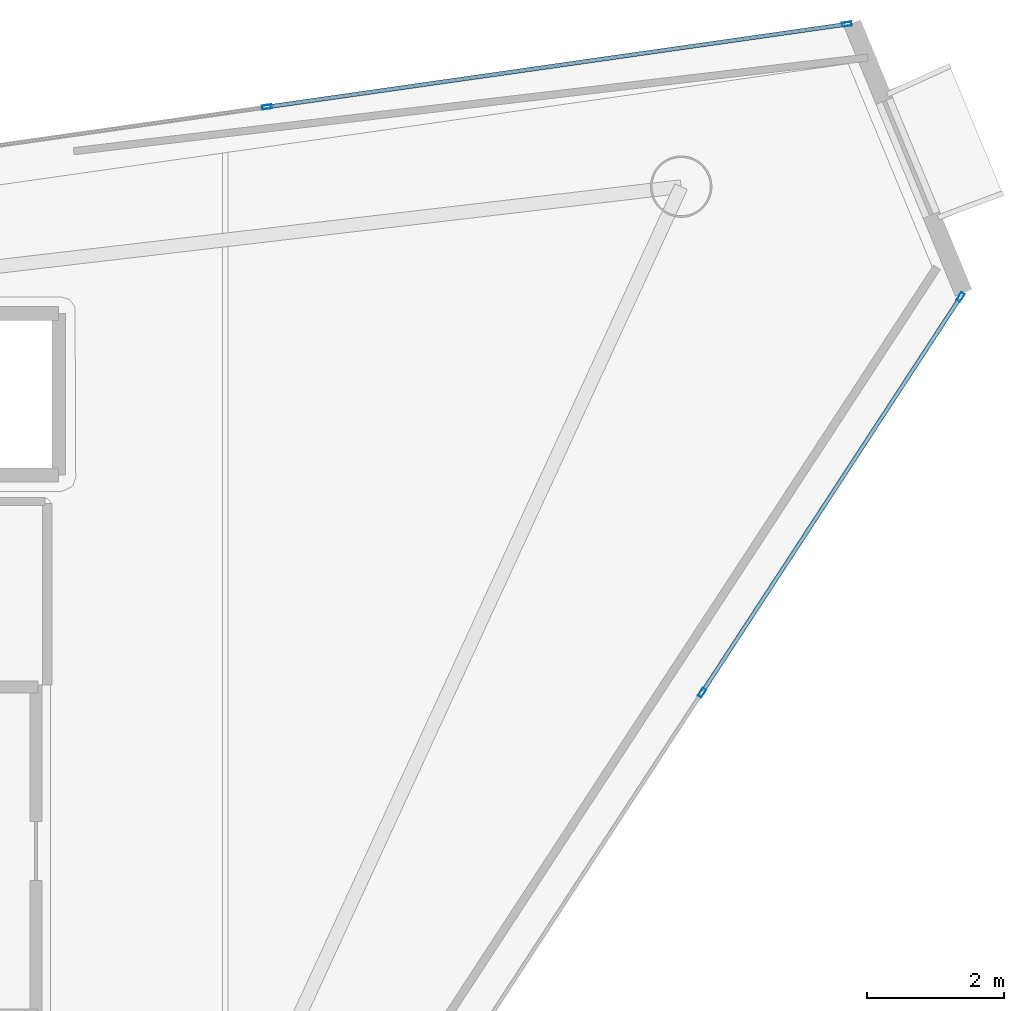
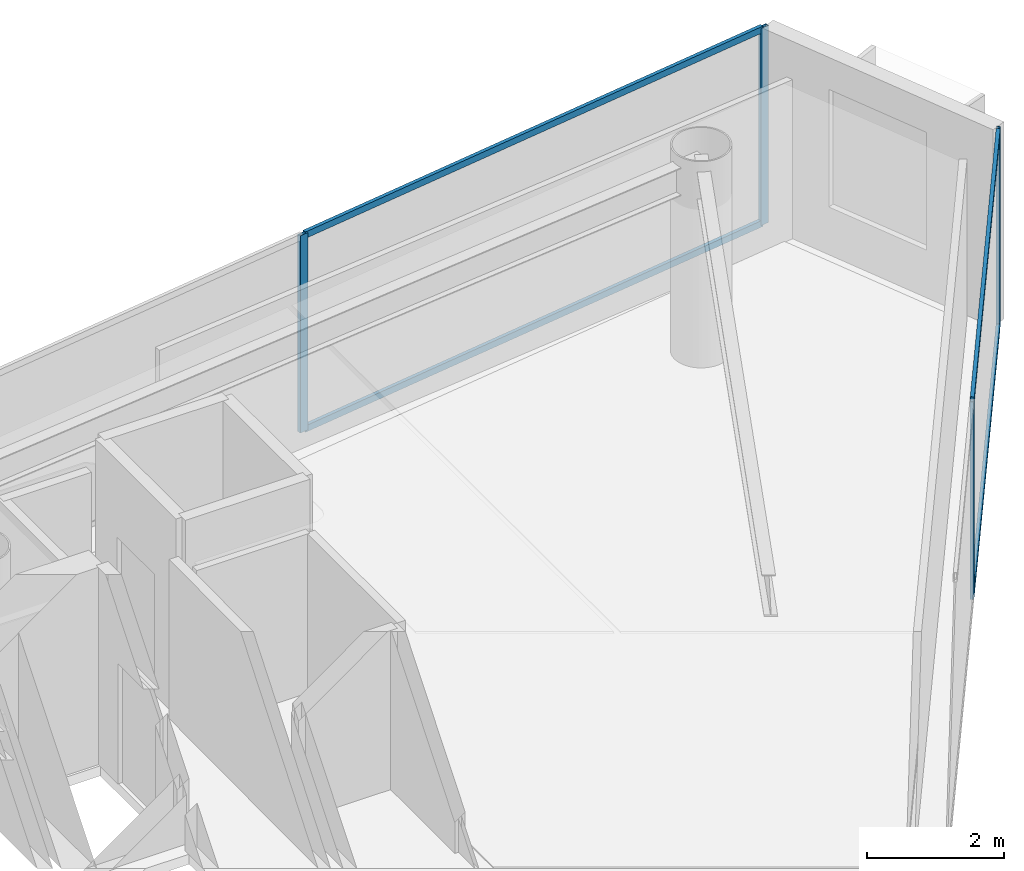
# One storey, part 18 of 25: 8 members, 2 elements without a shape of their own.
"""IFC4 building model written with IfcOpenShell, lengths in metres."""

import ifcopenshell
import ifcopenshell.guid

model = None  # the IFC model being written
_history = None  # IfcOwnerHistory: only IFC2X3 demands one
_inside = {}  # id of a spatial element -> (the spatial element, [elements in it])
_under = {}  # id of a project, library or spatial element -> (it, [spatial elements below it])
_declared = {}  # id of a project -> (the project, [libraries it declares])
_typed = {}  # id of a type object -> (the type object, [elements of that type])
_made_of = {}  # id of a material, layer set ... -> (it, [elements and type objects made of it])


def new_model(schema):
    """Start an empty IFC model of exactly this schema.

    Asked for "IFC4X3", IfcOpenShell would pick the latest addendum, in which some entities
    have other attributes; the version numbers below select the first issue.
    IFC2X3 requires an IfcOwnerHistory on every rooted entity: one is made here for all.
    """
    global model, _history
    if schema == "IFC4X3":
        model = ifcopenshell.file(schema_version=(4, 3, 0, 0))
    else:
        model = ifcopenshell.file(schema=schema)
    _inside.clear()
    _under.clear()
    _declared.clear()
    _typed.clear()
    _made_of.clear()
    _history = None
    if model.schema == "IFC2X3":
        org = make("IfcOrganization", Name="unknown")
        user = make(
            "IfcPersonAndOrganization",
            ThePerson=make("IfcPerson", FamilyName="unknown"),
            TheOrganization=org,
        )
        app = make(
            "IfcApplication",
            ApplicationDeveloper=org,
            Version="unknown",
            ApplicationFullName="unknown",
            ApplicationIdentifier="unknown",
        )
        _history = make(
            "IfcOwnerHistory",
            OwningUser=user,
            OwningApplication=app,
            ChangeAction="ADDED",
            CreationDate=0,
        )
    return model


def make(cls, **values):
    """One entity of the class cls with the attributes given. An attribute that is None is left unset."""
    return model.create_entity(
        cls, **{name: value for name, value in values.items() if value is not None}
    )


def rooted(cls, **values):
    """An entity with a GlobalId (a new one), such as an element, a storey or a relation."""
    return make(cls, GlobalId=ifcopenshell.guid.new(), OwnerHistory=_history, **values)


def si_unit(unit_type, name, prefix=None):
    """IfcSIUnit, for example si_unit("LENGTHUNIT", "METRE", prefix="MILLI")."""
    return make("IfcSIUnit", UnitType=unit_type, Prefix=prefix, Name=name)


def assignment(units):
    """IfcUnitAssignment: the units of a project."""
    return None if units is None else make("IfcUnitAssignment", Units=units)


def point(xyz):
    """IfcCartesianPoint."""
    return None if xyz is None else make("IfcCartesianPoint", Coordinates=xyz)


def direction(xyz):
    """IfcDirection."""
    return None if xyz is None else make("IfcDirection", DirectionRatios=xyz)


def frame(location, z_axis=None, x_axis=None):
    """IfcAxis2Placement3D, a coordinate frame: its origin and axes. An axis left out is left unset."""
    return make(
        "IfcAxis2Placement3D",
        Location=point(location),
        Axis=direction(z_axis),
        RefDirection=direction(x_axis),
    )


def frame_2d(location, x_axis=None):
    """IfcAxis2Placement2D, a coordinate frame in the plane: its origin and x axis."""
    return make(
        "IfcAxis2Placement2D", Location=point(location), RefDirection=direction(x_axis)
    )


def origin():
    """The frame at (0, 0, 0) with its axes left unset."""
    return frame((0.0, 0.0, 0.0))


def origin_2d():
    """The frame at (0, 0) in the plane with its x axis left unset."""
    return frame_2d((0.0, 0.0))


def place(relative_to, where):
    """IfcLocalPlacement: puts the frame where relative to a parent placement (None: the world)."""
    return make(
        "IfcLocalPlacement", PlacementRelTo=relative_to, RelativePlacement=where
    )


def context(
    kind, dimensions, precision=None, world=None, true_north=None, identifier=None
):
    """IfcGeometricRepresentationContext, for example the 3D "Model" context."""
    return make(
        "IfcGeometricRepresentationContext",
        ContextIdentifier=identifier,
        ContextType=kind,
        CoordinateSpaceDimension=dimensions,
        Precision=precision,
        WorldCoordinateSystem=world,
        TrueNorth=true_north,
    )


def subcontext(parent, identifier, kind, view, scale=None):
    """IfcGeometricRepresentationSubContext, for example "Body" below "Model"."""
    return make(
        "IfcGeometricRepresentationSubContext",
        ContextIdentifier=identifier,
        ContextType=kind,
        ParentContext=parent,
        TargetScale=scale,
        TargetView=view,
    )


def project(units=None, contexts=None):
    """IfcProject with its units and contexts."""
    return rooted(
        "IfcProject",
        Name="project",
        RepresentationContexts=contexts,
        UnitsInContext=assignment(units),
    )


def spatial(cls, under=None, at=None, **own):
    """A site, building, storey or space (cls), placed at a placement, below another one or the project."""
    s = rooted(cls, ObjectPlacement=at, **own)
    if under is not None:
        _under.setdefault(under.id(), (under, []))[1].append(s)
    return s


def profile(cls, at=None, kind="AREA", **sizes):
    """A parametric profile (cls). Its sizes go by their IFC names, for example OverallWidth=200.0."""
    return make(cls, ProfileType=kind, Position=at, **sizes)


def hollow_rectangle(**sizes):
    """IfcRectangleHollowProfileDef."""
    return profile("IfcRectangleHollowProfileDef", **sizes)


def extrude(swept, where, along, depth):
    """IfcExtrudedAreaSolid: the profile swept, set in the frame where, extruded along a direction by depth."""
    return make(
        "IfcExtrudedAreaSolid",
        SweptArea=swept,
        Position=where,
        ExtrudedDirection=direction(along),
        Depth=depth,
    )


def shape(context_of_items, identifier, shape_type, items):
    """IfcShapeRepresentation: the items that make up one representation, for example the "Body"."""
    return make(
        "IfcShapeRepresentation",
        ContextOfItems=context_of_items,
        RepresentationIdentifier=identifier,
        RepresentationType=shape_type,
        Items=items,
    )


def material(Name=None, Category=None):
    """IfcMaterial."""
    return make("IfcMaterial", Name=Name, Category=Category)


def layer(
    of_material, thickness, ventilated=None, Name=None, Category=None, Priority=None
):
    """IfcMaterialLayer: one layer of a wall or slab, of a material (None: an air gap)."""
    return make(
        "IfcMaterialLayer",
        Material=of_material,
        LayerThickness=thickness,
        IsVentilated=ventilated,
        Name=Name,
        Category=Category,
        Priority=Priority,
    )


def layer_set(layers, Name=None):
    """IfcMaterialLayerSet."""
    return make("IfcMaterialLayerSet", MaterialLayers=layers, LayerSetName=Name)


def material_profile(
    of_material, cross_section, Name=None, Category=None, Priority=None
):
    """IfcMaterialProfile: a cross section and its material."""
    return make(
        "IfcMaterialProfile",
        Name=Name,
        Material=of_material,
        Profile=cross_section,
        Priority=Priority,
        Category=Category,
    )


def profile_set(profiles, Name=None, composite=None):
    """IfcMaterialProfileSet."""
    return make(
        "IfcMaterialProfileSet",
        Name=Name,
        MaterialProfiles=profiles,
        CompositeProfile=composite,
    )


def made_of(thing, what):
    """Note that an element or type object is made of a material, layer set ...; save() writes the relation."""
    if what is not None:
        _made_of.setdefault(what.id(), (what, []))[1].append(thing)
    return thing


def type_object(cls, material=None, **own):
    """A type object (cls), such as IfcWallType, which elements share."""
    return made_of(rooted(cls, **own), material)


def element(
    cls,
    number,
    at=None,
    inside=None,
    cuts=None,
    type_object=None,
    material=None,
    context=None,
    identifier="Body",
    shape_type=None,
    held_by="IfcProductDefinitionShape",
    body=None,
    shapes=None,
    **own,
):
    """One element of the class cls, such as IfcWall. Its Tag is "e" and its number.

    at: its placement. inside: the storey or other place that contains it. cuts: it is an
    opening in that element (IfcRelVoidsElement). A single representation is given by context,
    identifier, shape_type and body (its items); several are given by shapes. held_by: the class
    of the entity that holds the representations. save() writes the other relations.
    """
    e = rooted(cls, Tag="e%d" % number, ObjectPlacement=at, **own)
    if body is not None:
        shapes = [shape(context, identifier, shape_type, body)]
    if shapes is not None:
        e.Representation = make(held_by, Representations=shapes)
    if inside is not None:
        _inside.setdefault(inside.id(), (inside, []))[1].append(e)
    if cuts is not None:
        rooted(
            "IfcRelVoidsElement", RelatingBuildingElement=cuts, RelatedOpeningElement=e
        )
    if type_object is not None:
        _typed.setdefault(type_object.id(), (type_object, []))[1].append(e)
    return made_of(e, material)


def aggregate(whole, parts):
    """IfcRelAggregates: a whole, such as a stair, and the parts it consists of."""
    return rooted("IfcRelAggregates", RelatingObject=whole, RelatedObjects=parts)


def save(model, path):
    """Write the relations noted so far, then the file.

    IfcRelAggregates (storeys below a building ...), IfcRelContainedInSpatialStructure (elements
    in a storey), IfcRelDefinesByType, IfcRelAssociatesMaterial and IfcRelDeclares: one each for
    every whole, place, type object, material and project.
    """
    for whole, parts in _under.values():
        aggregate(whole, parts)
    for where, things in _inside.values():
        rooted(
            "IfcRelContainedInSpatialStructure",
            RelatedElements=things,
            RelatingStructure=where,
        )
    for kind, things in _typed.values():
        rooted("IfcRelDefinesByType", RelatedObjects=things, RelatingType=kind)
    for what, things in _made_of.values():
        rooted("IfcRelAssociatesMaterial", RelatedObjects=things, RelatingMaterial=what)
    for by, libraries in _declared.values():
        rooted("IfcRelDeclares", RelatingContext=by, RelatedDefinitions=libraries)
    model.write(path)


model = new_model("IFC4")

# Units and contexts
model_context = context("Model", 3, precision=1e-05, world=origin(), true_north=direction((0.0, 1.0)))
body_context = subcontext(model_context, "Body", "Model", "MODEL_VIEW")
ifc_project = project(units=[si_unit("LENGTHUNIT", "METRE"), si_unit("AREAUNIT", "SQUARE_METRE"), si_unit("VOLUMEUNIT", "CUBIC_METRE"), si_unit("PLANEANGLEUNIT", "RADIAN"), si_unit("MASSUNIT", "GRAM", prefix="KILO")], contexts=[model_context])

# Site, building, storey
site_placement = place(None, origin())
site = spatial("IfcSite", under=ifc_project, at=site_placement, CompositionType="ELEMENT")
building_placement = place(site_placement, origin())
building = spatial("IfcBuilding", under=site, at=building_placement, Name="Qianvela Tower", CompositionType="ELEMENT")
storey_placement = place(building_placement, frame((0.0, 0.0, 288.0)))
storey = spatial("IfcBuildingStorey", under=building, at=storey_placement, Name="L74", CompositionType="ELEMENT", Elevation=288.0)

# Curtain wall, members
ifc_material_1 = material(Name="Anodised Architectural Aluminium and Low-E Glass", Category="aluminium")
ifc_layer = layer(ifc_material_1, 0.14990234375)
ifc_layer_set = layer_set([ifc_layer], Name="Anodised Architectural Aluminium and Low-E Glass")
curtain_wall_type = type_object("IfcCurtainWallType", Name="CW-COLIV-Z78", PredefinedType="USERDEFINED", material=ifc_layer_set)
curtain_wall_1_placement = place(storey_placement, origin())
curtain_wall_1 = element("IfcCurtainWall", 1, at=curtain_wall_1_placement, inside=storey, type_object=curtain_wall_type, Name="L74 CW-COLIV-Z78 Curtain Wall 02A", ObjectType="CURTAIN_WALL_SYSTEM", PredefinedType="USERDEFINED")
ifc_material_2 = material(Name="Anodised Architectural Aluminium 6063-T6", Category="aluminium")
ifc_material_profile_1 = material_profile(ifc_material_2, hollow_rectangle(XDim=0.06005859375, YDim=0.139892578125, WallThickness=0.00439453125, at=origin_2d()), Name="ALU-MULL-60x140")
ifc_profile_set_1 = profile_set([ifc_material_profile_1], Name="Anodised Architectural Aluminium 6063-T6")
member_type_1 = type_object("IfcMemberType", Name="CW-COLIV-Z78-MULL", PredefinedType="MULLION", material=ifc_profile_set_1)
member_1_placement = place(storey_placement, frame((55.069091796875, 39.5087890625, 0.0), z_axis=(0.0, 0.0, 1.0), x_axis=(0.14136186828, -0.989957990117, 0.0)))
member_1 = element("IfcMember", 2, at=member_1_placement, type_object=member_type_1, Name="CW-6 mullion 1", PredefinedType="MULLION", context=body_context, shape_type="SweptSolid", body=[
    extrude(hollow_rectangle(XDim=0.06005859375, YDim=0.139892578125, WallThickness=0.00439453125, at=origin_2d()), origin(), (0.0, 0.0, 1.0), 3.52001953125),
])
member_2_placement = place(storey_placement, frame((46.594970703125, 38.298828125, 0.0), z_axis=(0.0, 0.0, 1.0), x_axis=(0.14136186828, -0.989957990117, 0.0)))
member_2 = element("IfcMember", 3, at=member_2_placement, type_object=member_type_1, Name="CW-6 mullion 2", PredefinedType="MULLION", context=body_context, shape_type="SweptSolid", body=[
    extrude(hollow_rectangle(XDim=0.06005859375, YDim=0.139892578125, WallThickness=0.00439453125, at=origin_2d()), origin(), (0.0, 0.0, 1.0), 3.52001953125),
])

curtain_wall_2_placement = place(storey_placement, origin())
curtain_wall_2 = element("IfcCurtainWall", 4, at=curtain_wall_2_placement, inside=storey, type_object=curtain_wall_type, Name="L74 CW-COLIV-Z78 Curtain Wall 06C", ObjectType="CURTAIN_WALL_SYSTEM", PredefinedType="USERDEFINED")
member_3_placement = place(storey_placement, frame((52.952880859375, 29.7392578125, 0.0), z_axis=(0.0, 0.0, 1.0), x_axis=(-0.837079522696, 0.547081230424, 0.0)))
member_3 = element("IfcMember", 5, at=member_3_placement, type_object=member_type_1, Name="CW-6 mullion 4", PredefinedType="MULLION", context=body_context, shape_type="SweptSolid", body=[
    extrude(hollow_rectangle(XDim=0.06005859375, YDim=0.139892578125, WallThickness=0.00439453125, at=origin_2d()), origin(), (0.0, 0.0, 1.0), 3.52001953125),
])
member_4_placement = place(storey_placement, frame((56.73046875, 35.519287109375, 0.0), z_axis=(0.0, 0.0, 1.0), x_axis=(-0.837079522696, 0.547081230424, 0.0)))
member_4 = element("IfcMember", 6, at=member_4_placement, type_object=member_type_1, Name="CW-6 mullion 5", PredefinedType="MULLION", context=body_context, shape_type="SweptSolid", body=[
    extrude(hollow_rectangle(XDim=0.06005859375, YDim=0.139892578125, WallThickness=0.00439453125, at=origin_2d()), origin(), (0.0, 0.0, 1.0), 3.52001953125),
])

# Member
ifc_material_3 = material(Name="Anodised Architectural Aluminium 6063-T6", Category="aluminium")
ifc_material_profile_2 = material_profile(ifc_material_3, hollow_rectangle(XDim=0.06005859375, YDim=0.114990234375, WallThickness=0.00390625, at=origin_2d()), Name="ALU-TRAN-60x115")
ifc_profile_set_2 = profile_set([ifc_material_profile_2], Name="Anodised Architectural Aluminium 6063-T6")
member_type_2 = type_object("IfcMemberType", Name="CW-COLIV-Z78-TRAN", PredefinedType="USERDEFINED", material=ifc_profile_set_2)
member_5_placement = place(storey_placement, frame((55.039306640625, 39.504638671875, 0.030029296875), z_axis=(-0.989956385932, -0.141373101943, 0.0), x_axis=(0.141373101943, -0.989956385932, 0.0)))
member_5 = element("IfcMember", 7, at=member_5_placement, type_object=member_type_2, Name="CW-6 transom 1.1", ObjectType="TRANSOM", PredefinedType="USERDEFINED", context=body_context, shape_type="SweptSolid", body=[
    extrude(hollow_rectangle(XDim=0.06005859375, YDim=0.114990234375, WallThickness=0.00390625, at=origin_2d()), origin(), (0.0, 0.0, 1.0), 8.5),
])

member_6_placement = place(storey_placement, frame((55.039306640625, 39.504638671875, 3.489990234375), z_axis=(-0.989956385932, -0.141373101943, 0.0), x_axis=(0.141373101943, -0.989956385932, 0.0)))
member_6 = element("IfcMember", 8, at=member_6_placement, type_object=member_type_2, Name="CW-6 transom 1.2", ObjectType="TRANSOM", PredefinedType="USERDEFINED", context=body_context, shape_type="SweptSolid", body=[
    extrude(hollow_rectangle(XDim=0.06005859375, YDim=0.114990234375, WallThickness=0.00390625, at=origin_2d()), origin(), (0.0, 0.0, 1.0), 8.5),
])

aggregate(curtain_wall_1, [member_1, member_2, member_5, member_6])

member_7_placement = place(storey_placement, frame((52.96923828125, 29.764404296875, 0.030029296875), z_axis=(0.547080224916, 0.837080179855, 0.0), x_axis=(-0.837080179855, 0.547080224916, 0.0)))
member_7 = element("IfcMember", 9, at=member_7_placement, type_object=member_type_2, Name="CW-6 transom 4.1", ObjectType="TRANSOM", PredefinedType="USERDEFINED", context=body_context, shape_type="SweptSolid", body=[
    extrude(hollow_rectangle(XDim=0.06005859375, YDim=0.114990234375, WallThickness=0.00390625, at=origin_2d()), origin(), (0.0, 0.0, 1.0), 6.84521484375),
])

member_8_placement = place(storey_placement, frame((52.96923828125, 29.764404296875, 3.489990234375), z_axis=(0.547080224916, 0.837080179855, 0.0), x_axis=(-0.837080179855, 0.547080224916, 0.0)))
member_8 = element("IfcMember", 10, at=member_8_placement, type_object=member_type_2, Name="CW-6 transom 4.2", ObjectType="TRANSOM", PredefinedType="USERDEFINED", context=body_context, shape_type="SweptSolid", body=[
    extrude(hollow_rectangle(XDim=0.06005859375, YDim=0.114990234375, WallThickness=0.00390625, at=origin_2d()), origin(), (0.0, 0.0, 1.0), 6.84521484375),
])

aggregate(curtain_wall_2, [member_3, member_4, member_7, member_8])

save(model, "model.ifc")
